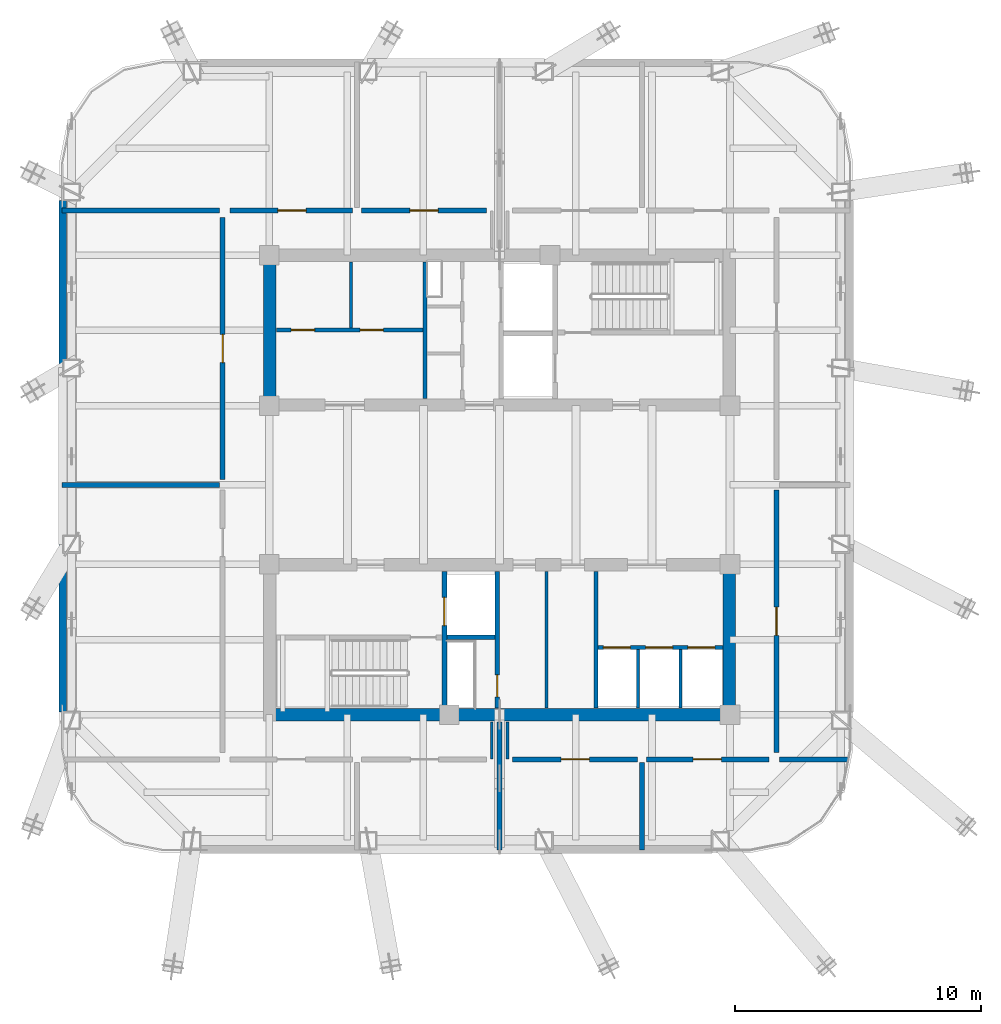
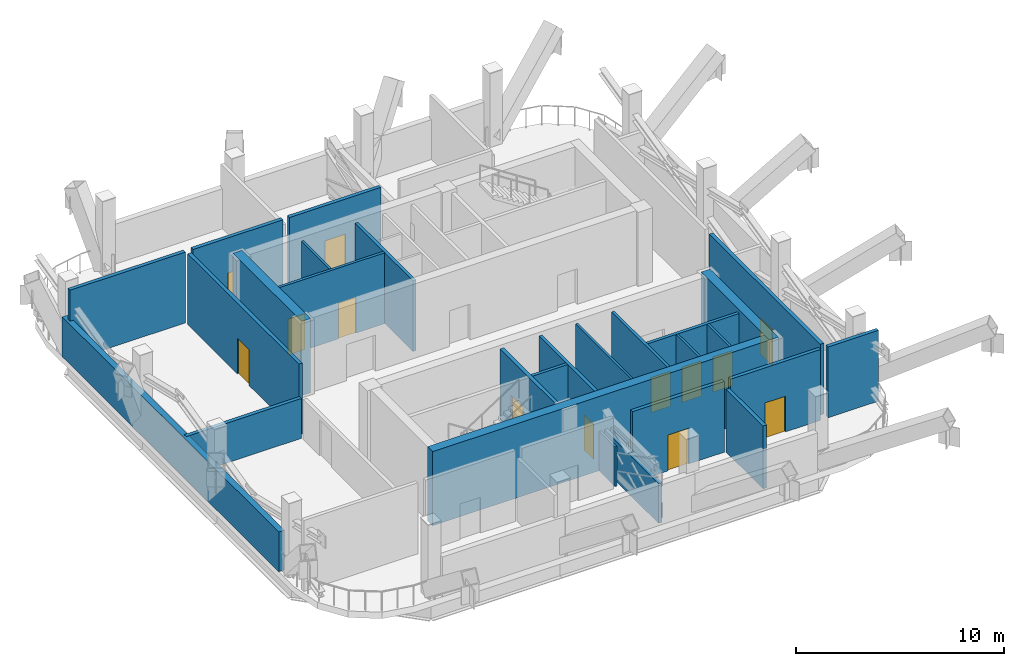
# One storey, part 4 of 9: 28 walls, 13 doors, 13 openings.
"""IFC4 building model written with IfcOpenShell, lengths in metres."""

import ifcopenshell
import ifcopenshell.guid

model = None  # the IFC model being written
_history = None  # IfcOwnerHistory: only IFC2X3 demands one
_inside = {}  # id of a spatial element -> (the spatial element, [elements in it])
_under = {}  # id of a project, library or spatial element -> (it, [spatial elements below it])
_declared = {}  # id of a project -> (the project, [libraries it declares])
_typed = {}  # id of a type object -> (the type object, [elements of that type])
_made_of = {}  # id of a material, layer set ... -> (it, [elements and type objects made of it])


def new_model(schema):
    """Start an empty IFC model of exactly this schema.

    Asked for "IFC4X3", IfcOpenShell would pick the latest addendum, in which some entities
    have other attributes; the version numbers below select the first issue.
    IFC2X3 requires an IfcOwnerHistory on every rooted entity: one is made here for all.
    """
    global model, _history
    if schema == "IFC4X3":
        model = ifcopenshell.file(schema_version=(4, 3, 0, 0))
    else:
        model = ifcopenshell.file(schema=schema)
    _inside.clear()
    _under.clear()
    _declared.clear()
    _typed.clear()
    _made_of.clear()
    _history = None
    if model.schema == "IFC2X3":
        org = make("IfcOrganization", Name="unknown")
        user = make(
            "IfcPersonAndOrganization",
            ThePerson=make("IfcPerson", FamilyName="unknown"),
            TheOrganization=org,
        )
        app = make(
            "IfcApplication",
            ApplicationDeveloper=org,
            Version="unknown",
            ApplicationFullName="unknown",
            ApplicationIdentifier="unknown",
        )
        _history = make(
            "IfcOwnerHistory",
            OwningUser=user,
            OwningApplication=app,
            ChangeAction="ADDED",
            CreationDate=0,
        )
    return model


def make(cls, **values):
    """One entity of the class cls with the attributes given. An attribute that is None is left unset."""
    return model.create_entity(
        cls, **{name: value for name, value in values.items() if value is not None}
    )


def rooted(cls, **values):
    """An entity with a GlobalId (a new one), such as an element, a storey or a relation."""
    return make(cls, GlobalId=ifcopenshell.guid.new(), OwnerHistory=_history, **values)


def si_unit(unit_type, name, prefix=None):
    """IfcSIUnit, for example si_unit("LENGTHUNIT", "METRE", prefix="MILLI")."""
    return make("IfcSIUnit", UnitType=unit_type, Prefix=prefix, Name=name)


def assignment(units):
    """IfcUnitAssignment: the units of a project."""
    return None if units is None else make("IfcUnitAssignment", Units=units)


def point(xyz):
    """IfcCartesianPoint."""
    return None if xyz is None else make("IfcCartesianPoint", Coordinates=xyz)


def direction(xyz):
    """IfcDirection."""
    return None if xyz is None else make("IfcDirection", DirectionRatios=xyz)


def frame(location, z_axis=None, x_axis=None):
    """IfcAxis2Placement3D, a coordinate frame: its origin and axes. An axis left out is left unset."""
    return make(
        "IfcAxis2Placement3D",
        Location=point(location),
        Axis=direction(z_axis),
        RefDirection=direction(x_axis),
    )


def frame_2d(location, x_axis=None):
    """IfcAxis2Placement2D, a coordinate frame in the plane: its origin and x axis."""
    return make(
        "IfcAxis2Placement2D", Location=point(location), RefDirection=direction(x_axis)
    )


def origin():
    """The frame at (0, 0, 0) with its axes left unset."""
    return frame((0.0, 0.0, 0.0))


def place(relative_to, where):
    """IfcLocalPlacement: puts the frame where relative to a parent placement (None: the world)."""
    return make(
        "IfcLocalPlacement", PlacementRelTo=relative_to, RelativePlacement=where
    )


def context(
    kind, dimensions, precision=None, world=None, true_north=None, identifier=None
):
    """IfcGeometricRepresentationContext, for example the 3D "Model" context."""
    return make(
        "IfcGeometricRepresentationContext",
        ContextIdentifier=identifier,
        ContextType=kind,
        CoordinateSpaceDimension=dimensions,
        Precision=precision,
        WorldCoordinateSystem=world,
        TrueNorth=true_north,
    )


def subcontext(parent, identifier, kind, view, scale=None):
    """IfcGeometricRepresentationSubContext, for example "Body" below "Model"."""
    return make(
        "IfcGeometricRepresentationSubContext",
        ContextIdentifier=identifier,
        ContextType=kind,
        ParentContext=parent,
        TargetScale=scale,
        TargetView=view,
    )


def project(units=None, contexts=None):
    """IfcProject with its units and contexts."""
    return rooted(
        "IfcProject",
        Name="project",
        RepresentationContexts=contexts,
        UnitsInContext=assignment(units),
    )


def spatial(cls, under=None, at=None, **own):
    """A site, building, storey or space (cls), placed at a placement, below another one or the project."""
    s = rooted(cls, ObjectPlacement=at, **own)
    if under is not None:
        _under.setdefault(under.id(), (under, []))[1].append(s)
    return s


def profile(cls, at=None, kind="AREA", **sizes):
    """A parametric profile (cls). Its sizes go by their IFC names, for example OverallWidth=200.0."""
    return make(cls, ProfileType=kind, Position=at, **sizes)


def rectangle(**sizes):
    """IfcRectangleProfileDef."""
    return profile("IfcRectangleProfileDef", **sizes)


def extrude(swept, where, along, depth):
    """IfcExtrudedAreaSolid: the profile swept, set in the frame where, extruded along a direction by depth."""
    return make(
        "IfcExtrudedAreaSolid",
        SweptArea=swept,
        Position=where,
        ExtrudedDirection=direction(along),
        Depth=depth,
    )


def shape(context_of_items, identifier, shape_type, items):
    """IfcShapeRepresentation: the items that make up one representation, for example the "Body"."""
    return make(
        "IfcShapeRepresentation",
        ContextOfItems=context_of_items,
        RepresentationIdentifier=identifier,
        RepresentationType=shape_type,
        Items=items,
    )


def material(Name=None, Category=None):
    """IfcMaterial."""
    return make("IfcMaterial", Name=Name, Category=Category)


def layer(
    of_material, thickness, ventilated=None, Name=None, Category=None, Priority=None
):
    """IfcMaterialLayer: one layer of a wall or slab, of a material (None: an air gap)."""
    return make(
        "IfcMaterialLayer",
        Material=of_material,
        LayerThickness=thickness,
        IsVentilated=ventilated,
        Name=Name,
        Category=Category,
        Priority=Priority,
    )


def layer_set(layers, Name=None):
    """IfcMaterialLayerSet."""
    return make("IfcMaterialLayerSet", MaterialLayers=layers, LayerSetName=Name)


def made_of(thing, what):
    """Note that an element or type object is made of a material, layer set ...; save() writes the relation."""
    if what is not None:
        _made_of.setdefault(what.id(), (what, []))[1].append(thing)
    return thing


def type_object(cls, material=None, **own):
    """A type object (cls), such as IfcWallType, which elements share."""
    return made_of(rooted(cls, **own), material)


def element(
    cls,
    number,
    at=None,
    inside=None,
    cuts=None,
    type_object=None,
    material=None,
    context=None,
    identifier="Body",
    shape_type=None,
    held_by="IfcProductDefinitionShape",
    body=None,
    shapes=None,
    **own,
):
    """One element of the class cls, such as IfcWall. Its Tag is "e" and its number.

    at: its placement. inside: the storey or other place that contains it. cuts: it is an
    opening in that element (IfcRelVoidsElement). A single representation is given by context,
    identifier, shape_type and body (its items); several are given by shapes. held_by: the class
    of the entity that holds the representations. save() writes the other relations.
    """
    e = rooted(cls, Tag="e%d" % number, ObjectPlacement=at, **own)
    if body is not None:
        shapes = [shape(context, identifier, shape_type, body)]
    if shapes is not None:
        e.Representation = make(held_by, Representations=shapes)
    if inside is not None:
        _inside.setdefault(inside.id(), (inside, []))[1].append(e)
    if cuts is not None:
        rooted(
            "IfcRelVoidsElement", RelatingBuildingElement=cuts, RelatedOpeningElement=e
        )
    if type_object is not None:
        _typed.setdefault(type_object.id(), (type_object, []))[1].append(e)
    return made_of(e, material)


def fill(opening, filler):
    """IfcRelFillsElement: the door or window that sits in an opening."""
    return rooted(
        "IfcRelFillsElement",
        RelatingOpeningElement=opening,
        RelatedBuildingElement=filler,
    )


def aggregate(whole, parts):
    """IfcRelAggregates: a whole, such as a stair, and the parts it consists of."""
    return rooted("IfcRelAggregates", RelatingObject=whole, RelatedObjects=parts)


def save(model, path):
    """Write the relations noted so far, then the file.

    IfcRelAggregates (storeys below a building ...), IfcRelContainedInSpatialStructure (elements
    in a storey), IfcRelDefinesByType, IfcRelAssociatesMaterial and IfcRelDeclares: one each for
    every whole, place, type object, material and project.
    """
    for whole, parts in _under.values():
        aggregate(whole, parts)
    for where, things in _inside.values():
        rooted(
            "IfcRelContainedInSpatialStructure",
            RelatedElements=things,
            RelatingStructure=where,
        )
    for kind, things in _typed.values():
        rooted("IfcRelDefinesByType", RelatedObjects=things, RelatingType=kind)
    for what, things in _made_of.values():
        rooted("IfcRelAssociatesMaterial", RelatedObjects=things, RelatingMaterial=what)
    for by, libraries in _declared.values():
        rooted("IfcRelDeclares", RelatingContext=by, RelatedDefinitions=libraries)
    model.write(path)


model = new_model("IFC4")

# Units and contexts
model_context = context("Model", 3, precision=1e-05, world=origin(), true_north=direction((0.0, 1.0)))
body_context = subcontext(model_context, "Body", "Model", "MODEL_VIEW")
ifc_project = project(units=[si_unit("LENGTHUNIT", "METRE"), si_unit("AREAUNIT", "SQUARE_METRE"), si_unit("VOLUMEUNIT", "CUBIC_METRE"), si_unit("PLANEANGLEUNIT", "RADIAN"), si_unit("MASSUNIT", "GRAM", prefix="KILO")], contexts=[model_context])

# Site, building, storey
site_placement = place(None, origin())
site = spatial("IfcSite", under=ifc_project, at=site_placement, CompositionType="ELEMENT")
building_placement = place(site_placement, origin())
building = spatial("IfcBuilding", under=site, at=building_placement, Name="Qhalaya Broadcast Tower", CompositionType="ELEMENT")
storey_placement = place(building_placement, frame((0.0, 0.0, 195.14990234375)))
storey = spatial("IfcBuildingStorey", under=building, at=storey_placement, Name="L57", CompositionType="ELEMENT", Elevation=195.14990234375)

# Wall, openings, doors
ifc_material_1 = material(Name="Gypsum Acoustic Partition")
ifc_layer_1 = layer(ifc_material_1, 0.14990234375, Name="Gypsum Acoustic Partition")
ifc_layer_set_1 = layer_set([ifc_layer_1], Name="Gypsum Acoustic Partition")
wall_type_1 = type_object("IfcWallType", Name="Corridor & Tenancy Acoustic Partition 150", PredefinedType="PARTITIONING", material=ifc_layer_set_1)
wall_1_placement = place(storey_placement, frame((-9.080078125, 6.89990234375, 0.0), z_axis=(0.0, 0.0, 1.0), x_axis=(1.0, 0.0, 0.0)))
wall_1 = element("IfcWall", 1, at=wall_1_placement, inside=storey, type_object=wall_type_1, Name="L57 Partition Wall NCW-REC1", PredefinedType="PARTITIONING", context=body_context, shape_type="SweptSolid", body=[
    extrude(rectangle(XDim=5.9599609375, YDim=0.14990234375, at=frame_2d((2.97998046875, 0.0))), origin(), (0.0, 0.0, 1.0), 4.16015625),
])
opening_1_placement = place(wall_1_placement, frame((0.60009765625, 0.0, 0.0)))
opening_1 = element("IfcOpeningElement", 2, at=opening_1_placement, cuts=wall_1, Name="Opening D10", PredefinedType="OPENING", context=body_context, shape_type="SweptSolid", body=[
    extrude(rectangle(XDim=0.949951171875, YDim=2.10009765625, at=frame_2d((0.47509765625, 1.050048828125))), frame((0.0, 0.0869140625, 0.0), z_axis=(0.0, -1.0, 0.0), x_axis=(1.0, 0.0, 0.0)), (0.0, 0.0, 1.0), 0.173828125),
])
opening_2_placement = place(wall_1_placement, frame((3.39990234375, 0.0, 0.0)))
opening_2 = element("IfcOpeningElement", 3, at=opening_2_placement, cuts=wall_1, Name="Opening D10", PredefinedType="OPENING", context=body_context, shape_type="SweptSolid", body=[
    extrude(rectangle(XDim=0.949951171875, YDim=2.10009765625, at=frame_2d((0.47509765625, 1.050048828125))), frame((0.0, 0.0869140625, 0.0), z_axis=(0.0, -1.0, 0.0), x_axis=(1.0, 0.0, 0.0)), (0.0, 0.0, 1.0), 0.173828125),
])
ifc_material_2 = material(Name="Timber Veneer Acoustic Door", Category="wood")
door_type_1 = type_object("IfcDoorType", Name="Cellular Office & Edit Booth Door D10", OperationType="NOTDEFINED", PredefinedType="DOOR", material=ifc_material_2)
door_1_placement = place(opening_1_placement, origin())
door_1 = element("IfcDoor", 4, at=door_1_placement, inside=storey, type_object=door_type_1, Name="L57 Door D-NREC1", OperationType="SINGLE_SWING_LEFT", OverallHeight=2.10009765625, OverallWidth=0.949951171875, PredefinedType="DOOR", context=body_context, shape_type="SweptSolid", body=[
    extrude(rectangle(XDim=0.949951171875, YDim=2.10009765625, at=frame_2d((0.47509765625, 1.050048828125))), frame((0.0, 0.02490234375, 0.0), z_axis=(0.0, -1.0, 0.0), x_axis=(1.0, 0.0, 0.0)), (0.0, 0.0, 1.0), 0.050048828125),
])
fill(opening_1, door_1)
door_2_placement = place(opening_2_placement, origin())
door_2 = element("IfcDoor", 5, at=door_2_placement, inside=storey, type_object=door_type_1, Name="L57 Door D-NREC2", OperationType="SINGLE_SWING_RIGHT", OverallHeight=2.10009765625, OverallWidth=0.949951171875, PredefinedType="DOOR", context=body_context, shape_type="SweptSolid", body=[
    extrude(rectangle(XDim=0.949951171875, YDim=2.10009765625, at=frame_2d((0.47509765625, 1.050048828125))), frame((0.0, 0.02490234375, 0.0), z_axis=(0.0, -1.0, 0.0), x_axis=(1.0, 0.0, 0.0)), (0.0, 0.0, 1.0), 0.050048828125),
])
fill(opening_2, door_2)

# Walls
wall_2_placement = place(storey_placement, frame((3.919921875, -8.47998046875, 0.0), z_axis=(0.0, 0.0, 1.0), x_axis=(0.0, 1.0, 0.0)))
element("IfcWall", 6, at=wall_2_placement, inside=storey, type_object=wall_type_1, Name="L57 Partition Wall SCW-HSEP", PredefinedType="PARTITIONING", context=body_context, shape_type="SweptSolid", body=[
    extrude(rectangle(XDim=5.56005859375, YDim=0.14990234375, at=frame_2d((2.780029296875, 0.0))), origin(), (0.0, 0.0, 1.0), 4.16015625),
])
ifc_layer_2 = layer(ifc_material_1, 0.199951171875, Name="Gypsum Acoustic Partition")
ifc_layer_set_2 = layer_set([ifc_layer_2], Name="Gypsum Acoustic Partition")
wall_type_2 = type_object("IfcWallType", Name="Firefighting Lobby & Stair Enclosure Wall 200", PredefinedType="PARTITIONING", material=ifc_layer_set_2)
wall_3_placement = place(storey_placement, frame((0.0, -14.260009765625, 0.0), z_axis=(0.0, 0.0, 1.0), x_axis=(0.0, 1.0, 0.0)))
element("IfcWall", 7, at=wall_3_placement, inside=storey, type_object=wall_type_2, Name="L57 Partition Wall W-OBS", PredefinedType="PARTITIONING", context=body_context, shape_type="SweptSolid", body=[
    extrude(rectangle(XDim=5.219970703125, YDim=0.199951171875, at=frame_2d((2.60986328125, 0.0))), origin(), (0.0, 0.0, 1.0), 2.340087890625),
])

# Wall, opening, door
wall_4_placement = place(storey_placement, frame((-5.97998046875, 11.77001953125, 0.0), z_axis=(0.0, 0.0, 1.0), x_axis=(-1.0, 0.0, 0.0)))
wall_4 = element("IfcWall", 8, at=wall_4_placement, inside=storey, type_object=wall_type_2, Name="L57 Partition Wall W-PCN0", PredefinedType="PARTITIONING", context=body_context, shape_type="SweptSolid", body=[
    extrude(rectangle(XDim=4.989990234375, YDim=0.199951171875, at=frame_2d((2.4951171875, 0.0))), origin(), (0.0, 0.0, 1.0), 4.16015625),
])
opening_3_placement = place(wall_4_placement, frame((1.889892578125, 0.0, 0.0)))
opening_3 = element("IfcOpeningElement", 9, at=opening_3_placement, cuts=wall_4, Name="Opening D05", PredefinedType="OPENING", context=body_context, shape_type="SweptSolid", body=[
    extrude(rectangle(XDim=1.14990234375, YDim=2.10009765625, at=frame_2d((0.574951171875, 1.050048828125))), frame((0.0, 0.112060546875, 0.0), z_axis=(0.0, -1.0, 0.0), x_axis=(1.0, 0.0, 0.0)), (0.0, 0.0, 1.0), 0.223876953125),
])
ifc_material_3 = material(Name="Fire-Rated Steel Door", Category="steel")
door_type_2 = type_object("IfcDoorType", Name="Refuge & Plant Room Fire Door D05", OperationType="NOTDEFINED", PredefinedType="DOOR", material=ifc_material_3)
door_3_placement = place(opening_3_placement, origin())
door_3 = element("IfcDoor", 10, at=door_3_placement, inside=storey, type_object=door_type_2, Name="L57 Door D-PCN0", OperationType="SINGLE_SWING_LEFT", OverallHeight=2.10009765625, OverallWidth=1.14990234375, PredefinedType="DOOR", context=body_context, shape_type="SweptSolid", body=[
    extrude(rectangle(XDim=1.14990234375, YDim=2.10009765625, at=frame_2d((0.574951171875, 1.050048828125))), frame((0.0, 0.02490234375, 0.0), z_axis=(0.0, -1.0, 0.0), x_axis=(1.0, 0.0, 0.0)), (0.0, 0.0, 1.0), 0.050048828125),
])
fill(opening_3, door_3)

wall_5_placement = place(storey_placement, frame((-0.530029296875, 11.77001953125, 0.0), z_axis=(0.0, 0.0, 1.0), x_axis=(-1.0, 0.0, 0.0)))
wall_5 = element("IfcWall", 11, at=wall_5_placement, inside=storey, type_object=wall_type_2, Name="L57 Partition Wall W-PCN1", PredefinedType="PARTITIONING", context=body_context, shape_type="SweptSolid", body=[
    extrude(rectangle(XDim=5.090087890625, YDim=0.199951171875, at=frame_2d((2.544921875, 0.0))), origin(), (0.0, 0.0, 1.0), 4.16015625),
])
opening_4_placement = place(wall_5_placement, frame((1.969970703125, 0.0, 0.0)))
opening_4 = element("IfcOpeningElement", 12, at=opening_4_placement, cuts=wall_5, Name="Opening D05", PredefinedType="OPENING", context=body_context, shape_type="SweptSolid", body=[
    extrude(rectangle(XDim=1.14990234375, YDim=2.10009765625, at=frame_2d((0.574951171875, 1.050048828125))), frame((0.0, 0.112060546875, 0.0), z_axis=(0.0, -1.0, 0.0), x_axis=(1.0, 0.0, 0.0)), (0.0, 0.0, 1.0), 0.223876953125),
])
door_4_placement = place(opening_4_placement, origin())
door_4 = element("IfcDoor", 13, at=door_4_placement, inside=storey, type_object=door_type_2, Name="L57 Door D-PCN1", OperationType="SINGLE_SWING_LEFT", OverallHeight=2.10009765625, OverallWidth=1.14990234375, PredefinedType="DOOR", context=body_context, shape_type="SweptSolid", body=[
    extrude(rectangle(XDim=1.14990234375, YDim=2.10009765625, at=frame_2d((0.574951171875, 1.050048828125))), frame((0.0, 0.02490234375, 0.0), z_axis=(0.0, -1.0, 0.0), x_axis=(1.0, 0.0, 0.0)), (0.0, 0.0, 1.0), 0.050048828125),
])
fill(opening_4, door_4)

wall_6_placement = place(storey_placement, frame((0.530029296875, -10.570068359375, 0.0), z_axis=(0.0, 0.0, 1.0), x_axis=(1.0, 0.0, 0.0)))
wall_6 = element("IfcWall", 14, at=wall_6_placement, inside=storey, type_object=wall_type_2, Name="L57 Partition Wall W-PCS2", PredefinedType="PARTITIONING", context=body_context, shape_type="SweptSolid", body=[
    extrude(rectangle(XDim=5.090087890625, YDim=0.199951171875, at=frame_2d((2.544921875, 0.0))), origin(), (0.0, 0.0, 1.0), 4.16015625),
])
opening_5_placement = place(wall_6_placement, frame((1.969970703125, 0.0, 0.0)))
opening_5 = element("IfcOpeningElement", 15, at=opening_5_placement, cuts=wall_6, Name="Opening D05", PredefinedType="OPENING", context=body_context, shape_type="SweptSolid", body=[
    extrude(rectangle(XDim=1.14990234375, YDim=2.10009765625, at=frame_2d((0.574951171875, 1.050048828125))), frame((0.0, 0.112060546875, 0.0), z_axis=(0.0, -1.0, 0.0), x_axis=(1.0, 0.0, 0.0)), (0.0, 0.0, 1.0), 0.223876953125),
])
door_5_placement = place(opening_5_placement, origin())
door_5 = element("IfcDoor", 16, at=door_5_placement, inside=storey, type_object=door_type_2, Name="L57 Door D-PCS2", OperationType="SINGLE_SWING_RIGHT", OverallHeight=2.10009765625, OverallWidth=1.14990234375, PredefinedType="DOOR", context=body_context, shape_type="SweptSolid", body=[
    extrude(rectangle(XDim=1.14990234375, YDim=2.10009765625, at=frame_2d((0.574951171875, 1.050048828125))), frame((0.0, 0.02490234375, 0.0), z_axis=(0.0, -1.0, 0.0), x_axis=(1.0, 0.0, 0.0)), (0.0, 0.0, 1.0), 0.050048828125),
])
fill(opening_5, door_5)

# Wall
wall_7_placement = place(storey_placement, frame((5.800048828125, -14.260009765625, 0.0), z_axis=(0.0, 0.0, 1.0), x_axis=(0.0, 1.0, 0.0)))
element("IfcWall", 17, at=wall_7_placement, inside=storey, type_object=wall_type_2, Name="L57 Partition Wall W-PDS3", PredefinedType="PARTITIONING", context=body_context, shape_type="SweptSolid", body=[
    extrude(rectangle(XDim=3.570068359375, YDim=0.199951171875, at=frame_2d((1.78515625, 0.0))), origin(), (0.0, 0.0, 1.0), 3.68115234375),
])

# Wall, opening, door
wall_8_placement = place(storey_placement, frame((5.97998046875, -10.570068359375, 0.0), z_axis=(0.0, 0.0, 1.0), x_axis=(1.0, 0.0, 0.0)))
wall_8 = element("IfcWall", 18, at=wall_8_placement, inside=storey, type_object=wall_type_2, Name="L57 Partition Wall W-PCS3", PredefinedType="PARTITIONING", context=body_context, shape_type="SweptSolid", body=[
    extrude(rectangle(XDim=4.989990234375, YDim=0.199951171875, at=frame_2d((2.4951171875, 0.0))), origin(), (0.0, 0.0, 1.0), 4.16015625),
])
opening_6_placement = place(wall_8_placement, frame((1.889892578125, 0.0, 0.0)))
opening_6 = element("IfcOpeningElement", 19, at=opening_6_placement, cuts=wall_8, Name="Opening D05", PredefinedType="OPENING", context=body_context, shape_type="SweptSolid", body=[
    extrude(rectangle(XDim=1.14990234375, YDim=2.10009765625, at=frame_2d((0.574951171875, 1.050048828125))), frame((0.0, 0.112060546875, 0.0), z_axis=(0.0, -1.0, 0.0), x_axis=(1.0, 0.0, 0.0)), (0.0, 0.0, 1.0), 0.223876953125),
])
door_6_placement = place(opening_6_placement, origin())
door_6 = element("IfcDoor", 20, at=door_6_placement, inside=storey, type_object=door_type_2, Name="L57 Door D-PCS3", OperationType="SINGLE_SWING_RIGHT", OverallHeight=2.10009765625, OverallWidth=1.14990234375, PredefinedType="DOOR", context=body_context, shape_type="SweptSolid", body=[
    extrude(rectangle(XDim=1.14990234375, YDim=2.10009765625, at=frame_2d((0.574951171875, 1.050048828125))), frame((0.0, 0.02490234375, 0.0), z_axis=(0.0, -1.0, 0.0), x_axis=(1.0, 0.0, 0.0)), (0.0, 0.0, 1.0), 0.050048828125),
])
fill(opening_6, door_6)

# Walls
wall_9_placement = place(storey_placement, frame((-17.800048828125, 11.77001953125, 0.0), z_axis=(0.0, 0.0, 1.0), x_axis=(1.0, 0.0, 0.0)))
element("IfcWall", 21, at=wall_9_placement, inside=storey, type_object=wall_type_2, Name="L57 Partition Wall W-PBNW", PredefinedType="PARTITIONING", context=body_context, shape_type="SweptSolid", body=[
    extrude(rectangle(XDim=6.41015625, YDim=0.199951171875, at=frame_2d((3.205078125, 0.0))), origin(), (0.0, 0.0, 1.0), 4.16015625),
])
wall_10_placement = place(storey_placement, frame((11.389892578125, -10.570068359375, 0.0), z_axis=(0.0, 0.0, 1.0), x_axis=(1.0, 0.0, 0.0)))
element("IfcWall", 22, at=wall_10_placement, inside=storey, type_object=wall_type_2, Name="L57 Partition Wall W-PBSE", PredefinedType="PARTITIONING", context=body_context, shape_type="SweptSolid", body=[
    extrude(rectangle(XDim=2.790283203125, YDim=0.199951171875, at=frame_2d((1.39501953125, 0.0))), origin(), (0.0, 0.0, 1.0), 4.16015625),
])
wall_11_placement = place(storey_placement, frame((-17.800048828125, 0.60009765625, 0.0), z_axis=(0.0, 0.0, 1.0), x_axis=(1.0, 0.0, 0.0)))
element("IfcWall", 23, at=wall_11_placement, inside=storey, type_object=wall_type_2, Name="L57 Partition Wall W-PDW1", PredefinedType="PARTITIONING", context=body_context, shape_type="SweptSolid", body=[
    extrude(rectangle(XDim=6.41015625, YDim=0.199951171875, at=frame_2d((3.205078125, 0.0))), origin(), (0.0, 0.0, 1.0), 2.340087890625),
])

# Wall, opening, door
wall_12_placement = place(storey_placement, frame((-11.27001953125, 11.489990234375, 0.0), z_axis=(0.0, 0.0, 1.0), x_axis=(0.0, -1.0, 0.0)))
wall_12 = element("IfcWall", 24, at=wall_12_placement, inside=storey, type_object=wall_type_2, Name="L57 Partition Wall W-PCW2", PredefinedType="PARTITIONING", context=body_context, shape_type="SweptSolid", body=[
    extrude(rectangle(XDim=10.679931640625, YDim=0.199951171875, at=frame_2d((5.33984375, 0.0))), origin(), (0.0, 0.0, 1.0), 4.16015625),
])
opening_7_placement = place(wall_12_placement, frame((4.764892578125, 0.0, 0.0)))
opening_7 = element("IfcOpeningElement", 25, at=opening_7_placement, cuts=wall_12, Name="Opening D05", PredefinedType="OPENING", context=body_context, shape_type="SweptSolid", body=[
    extrude(rectangle(XDim=1.14990234375, YDim=2.10009765625, at=frame_2d((0.574951171875, 1.050048828125))), frame((0.0, 0.112060546875, 0.0), z_axis=(0.0, -1.0, 0.0), x_axis=(1.0, 0.0, 0.0)), (0.0, 0.0, 1.0), 0.223876953125),
])
door_7_placement = place(opening_7_placement, origin())
door_7 = element("IfcDoor", 26, at=door_7_placement, inside=storey, type_object=door_type_2, Name="L57 Door D-PCW2", OperationType="SINGLE_SWING_RIGHT", OverallHeight=2.10009765625, OverallWidth=1.14990234375, PredefinedType="DOOR", context=body_context, shape_type="SweptSolid", body=[
    extrude(rectangle(XDim=1.14990234375, YDim=2.10009765625, at=frame_2d((0.574951171875, 1.050048828125))), frame((0.0, 0.02490234375, 0.0), z_axis=(0.0, -1.0, 0.0), x_axis=(1.0, 0.0, 0.0)), (0.0, 0.0, 1.0), 0.050048828125),
])
fill(opening_7, door_7)

wall_13_placement = place(storey_placement, frame((11.27001953125, -10.2900390625, 0.0), z_axis=(0.0, 0.0, 1.0), x_axis=(0.0, 1.0, 0.0)))
wall_13 = element("IfcWall", 27, at=wall_13_placement, inside=storey, type_object=wall_type_2, Name="L57 Partition Wall W-PCE1", PredefinedType="PARTITIONING", context=body_context, shape_type="SweptSolid", body=[
    extrude(rectangle(XDim=10.679931640625, YDim=0.199951171875, at=frame_2d((5.33984375, 0.0))), origin(), (0.0, 0.0, 1.0), 4.16015625),
])
opening_8_placement = place(wall_13_placement, frame((4.764892578125, 0.0, 0.0)))
opening_8 = element("IfcOpeningElement", 28, at=opening_8_placement, cuts=wall_13, Name="Opening D05", PredefinedType="OPENING", context=body_context, shape_type="SweptSolid", body=[
    extrude(rectangle(XDim=1.14990234375, YDim=2.10009765625, at=frame_2d((0.574951171875, 1.050048828125))), frame((0.0, 0.112060546875, 0.0), z_axis=(0.0, -1.0, 0.0), x_axis=(1.0, 0.0, 0.0)), (0.0, 0.0, 1.0), 0.223876953125),
])
door_8_placement = place(opening_8_placement, origin())
door_8 = element("IfcDoor", 29, at=door_8_placement, inside=storey, type_object=door_type_2, Name="L57 Door D-PCE1", OperationType="SINGLE_SWING_RIGHT", OverallHeight=2.10009765625, OverallWidth=1.14990234375, PredefinedType="DOOR", context=body_context, shape_type="SweptSolid", body=[
    extrude(rectangle(XDim=1.14990234375, YDim=2.10009765625, at=frame_2d((0.574951171875, 1.050048828125))), frame((0.0, 0.02490234375, 0.0), z_axis=(0.0, -1.0, 0.0), x_axis=(1.0, 0.0, 0.0)), (0.0, 0.0, 1.0), 0.050048828125),
])
fill(opening_8, door_8)

ifc_material_4 = material(Name="Concrete C50/60", Category="concrete")
ifc_layer_3 = layer(ifc_material_4, 0.199951171875, Name="Concrete C50/60")
ifc_layer_set_3 = layer_set([ifc_layer_3], Name="Concrete C50/60")
wall_type_3 = type_object("IfcWallType", Name="Load-Bearing Stair Shaft Wall 200", PredefinedType="SHEAR", material=ifc_layer_set_3)
wall_14_placement = place(storey_placement, frame((-2.25, -8.47998046875, 0.0), z_axis=(0.0, 0.0, 1.0), x_axis=(0.0, 1.0, 0.0)))
wall_14 = element("IfcWall", 30, at=wall_14_placement, inside=storey, type_object=wall_type_3, Name="L57 Stair Core Shear Wall SCW-FF", PredefinedType="SHEAR", context=body_context, shape_type="SweptSolid", body=[
    extrude(rectangle(XDim=5.56005859375, YDim=0.199951171875, at=frame_2d((2.780029296875, 0.0))), origin(), (0.0, 0.0, 1.0), 4.16015625),
])
opening_9_placement = place(wall_14_placement, frame((3.35009765625, 0.0, 0.0)))
opening_9 = element("IfcOpeningElement", 31, at=opening_9_placement, cuts=wall_14, Name="Opening LD2", PredefinedType="OPENING", context=body_context, shape_type="SweptSolid", body=[
    extrude(rectangle(XDim=1.14990234375, YDim=2.080078125, at=frame_2d((0.574951171875, 1.0400390625))), frame((0.0, 0.112060546875, 0.0), z_axis=(0.0, -1.0, 0.0), x_axis=(1.0, 0.0, 0.0)), (0.0, 0.0, 1.0), 0.223876953125),
])
ifc_material_5 = material(Name="Brushed Stainless Steel Lift Door", Category="steel")
door_type_3 = type_object("IfcDoorType", Name="Firefighting Lift Sliding Landing Door LD2", OperationType="DOUBLE_DOOR_SLIDING", PredefinedType="DOOR", material=ifc_material_5)
door_9_placement = place(opening_9_placement, origin())
door_9 = element("IfcDoor", 32, at=door_9_placement, inside=storey, type_object=door_type_3, Name="L57 Door LD-FF2", OperationType="DOUBLE_DOOR_SLIDING", OverallHeight=2.080078125, OverallWidth=1.14990234375, PredefinedType="DOOR", context=body_context, shape_type="SweptSolid", body=[
    extrude(rectangle(XDim=1.14990234375, YDim=2.080078125, at=frame_2d((0.574951171875, 1.0400390625))), frame((0.0, 0.02490234375, 0.0), z_axis=(0.0, -1.0, 0.0), x_axis=(1.0, 0.0, 0.0)), (0.0, 0.0, 1.0), 0.050048828125),
])
fill(opening_9, door_9)

# Walls
ifc_layer_4 = layer(ifc_material_4, 0.5, Name="Concrete C50/60")
ifc_layer_set_4 = layer_set([ifc_layer_4], Name="Concrete C50/60")
wall_type_4 = type_object("IfcWallType", Name="Mid Split-Core Shear Wall 500", PredefinedType="SHEAR", material=ifc_layer_set_4)
wall_15_placement = place(storey_placement, frame((-9.35009765625, 3.60009765625, 0.0), z_axis=(0.0, 0.0, 1.0), x_axis=(0.0, 1.0, 0.0)))
element("IfcWall", 33, at=wall_15_placement, inside=storey, type_object=wall_type_4, Name="L57 Split-Core Shear Wall CW-NW", PredefinedType="SHEAR", context=body_context, shape_type="SweptSolid", body=[
    extrude(rectangle(XDim=6.599853515625, YDim=0.5, at=frame_2d((3.2998046875, 0.0))), origin(), (0.0, 0.0, 1.0), 4.35009765625),
])
wall_16_placement = place(storey_placement, frame((-9.60009765625, -8.75, 0.0), z_axis=(0.0, 0.0, 1.0), x_axis=(1.0, 0.0, 0.0)))
element("IfcWall", 34, at=wall_16_placement, inside=storey, type_object=wall_type_4, Name="L57 Split-Core Shear Wall CW-SS", PredefinedType="SHEAR", context=body_context, shape_type="SweptSolid", body=[
    extrude(rectangle(XDim=19.2001953125, YDim=0.5, at=frame_2d((9.60009765625, 0.0))), origin(), (0.0, 0.0, 1.0), 4.35009765625),
])
wall_17_placement = place(storey_placement, frame((9.35009765625, -9.0, 0.0), z_axis=(0.0, 0.0, 1.0), x_axis=(0.0, 1.0, 0.0)))
element("IfcWall", 35, at=wall_17_placement, inside=storey, type_object=wall_type_4, Name="L57 Split-Core Shear Wall CW-SE", PredefinedType="SHEAR", context=body_context, shape_type="SweptSolid", body=[
    extrude(rectangle(XDim=6.60009765625, YDim=0.5, at=frame_2d((3.300048828125, 0.0))), origin(), (0.0, 0.0, 1.0), 4.35009765625),
])
ifc_layer_5 = layer(ifc_material_1, 0.1201171875, Name="Gypsum Acoustic Partition")
ifc_layer_set_5 = layer_set([ifc_layer_5], Name="Gypsum Acoustic Partition")
wall_type_5 = type_object("IfcWallType", Name="Office, Booth & Sanitary Partition 120", PredefinedType="PARTITIONING", material=ifc_layer_set_5)
wall_18_placement = place(storey_placement, frame((-6.050048828125, 6.97998046875, 0.0), z_axis=(0.0, 0.0, 1.0), x_axis=(0.0, 1.0, 0.0)))
element("IfcWall", 36, at=wall_18_placement, inside=storey, type_object=wall_type_5, Name="L57 Partition Wall NCW-REC2", PredefinedType="PARTITIONING", context=body_context, shape_type="SweptSolid", body=[
    extrude(rectangle(XDim=2.699951171875, YDim=0.1201171875, at=frame_2d((1.35009765625, 0.0))), origin(), (0.0, 0.0, 1.0), 4.16015625),
])
wall_19_placement = place(storey_placement, frame((1.89990234375, -8.47998046875, 0.0), z_axis=(0.0, 0.0, 1.0), x_axis=(0.0, 1.0, 0.0)))
element("IfcWall", 37, at=wall_19_placement, inside=storey, type_object=wall_type_5, Name="L57 Partition Wall SCW-RKB", PredefinedType="PARTITIONING", context=body_context, shape_type="SweptSolid", body=[
    extrude(rectangle(XDim=5.56005859375, YDim=0.1201171875, at=frame_2d((2.780029296875, 0.0))), origin(), (0.0, 0.0, 1.0), 4.16015625),
])
for number, where, z_axis, x_axis, name in (
    (38, (5.639892578125, -8.47998046875, 0.0), (0.0, 0.0, 1.0), (0.0, 1.0, 0.0), "L57 Partition Wall SCW-HD6"),
    (39, (7.360107421875, -8.47998046875, 0.0), (0.0, 0.0, 1.0), (0.0, 1.0, 0.0), "L57 Partition Wall SCW-HD7"),
):
    element("IfcWall", number, at=place(storey_placement, frame(where, z_axis=z_axis, x_axis=x_axis)), inside=storey, type_object=wall_type_5, Name=name, PredefinedType="PARTITIONING", context=body_context, shape_type="SweptSolid", body=[
        extrude(rectangle(XDim=2.3798828125, YDim=0.1201171875, at=frame_2d((1.18994140625, 0.0))), origin(), (0.0, 0.0, 1.0), 4.16015625),
    ])
for number, where, z_axis, x_axis, name in (
    (40, (-0.320068359375, -10.550048828125, 0.0), (0.0, 0.0, 1.0), (0.0, 1.0, 0.0), "L57 Partition Wall W-OBSCW"),
    (41, (0.320068359375, -10.550048828125, 0.0), (0.0, 0.0, 1.0), (0.0, 1.0, 0.0), "L57 Partition Wall W-OBSCE"),
):
    element("IfcWall", number, at=place(storey_placement, frame(where, z_axis=z_axis, x_axis=x_axis)), inside=storey, type_object=wall_type_5, Name=name, PredefinedType="PARTITIONING", context=body_context, shape_type="SweptSolid", body=[
        extrude(rectangle(XDim=1.510009765625, YDim=0.1201171875, at=frame_2d((0.7548828125, 0.0))), origin(), (0.0, 0.0, 1.0), 2.340087890625),
    ])
ifc_material_6 = material(Name="Precast Concrete C40/50", Category="concrete")
ifc_layer_6 = layer(ifc_material_6, 0.320068359375, Name="Precast Concrete C40/50")
ifc_layer_set_6 = layer_set([ifc_layer_6], Name="Precast Concrete C40/50")
wall_type_6 = type_object("IfcWallType", Name="Recessed Neck Insulated Exterior Wall 320", PredefinedType="SOLIDWALL", material=ifc_layer_set_6)
wall_20_placement = place(storey_placement, frame((-17.780029296875, -8.64208984375, 0.0), z_axis=(0.0, 0.0, 1.0), x_axis=(0.0, 1.0, 0.0)))
element("IfcWall", 42, at=wall_20_placement, inside=storey, type_object=wall_type_6, Name="L57 Exterior Facade Wall W", PredefinedType="SOLIDWALL", context=body_context, shape_type="SweptSolid", body=[
    extrude(rectangle(XDim=20.823974609375, YDim=0.320068359375, at=frame_2d((10.412109375, 0.0))), origin(), (0.0, 0.0, 1.0), 2.340087890625),
])
ifc_layer_7 = layer(ifc_material_1, 0.175048828125, Name="Gypsum Acoustic Partition")
ifc_layer_set_7 = layer_set([ifc_layer_7], Name="Gypsum Acoustic Partition")
wall_type_7 = type_object("IfcWallType", Name="Shaft & Riser Fire Partition 175", PredefinedType="PARTITIONING", material=ifc_layer_set_7)
wall_21_placement = place(storey_placement, frame((-3.0400390625, 4.1201171875, 0.0), z_axis=(0.0, 0.0, 1.0), x_axis=(0.0, 1.0, 0.0)))
element("IfcWall", 43, at=wall_21_placement, inside=storey, type_object=wall_type_7, Name="L57 Partition Wall NCW-VRW", PredefinedType="PARTITIONING", context=body_context, shape_type="SweptSolid", body=[
    extrude(rectangle(XDim=5.559814453125, YDim=0.175048828125, at=frame_2d((2.77978515625, 0.0))), origin(), (0.0, 0.0, 1.0), 4.16015625),
])

# Wall, opening, door
wall_22_placement = place(storey_placement, frame((-0.10009765625, -8.47998046875, 0.0), z_axis=(0.0, 0.0, 1.0), x_axis=(0.0, 1.0, 0.0)))
wall_22 = element("IfcWall", 44, at=wall_22_placement, inside=storey, type_object=wall_type_7, Name="L57 Partition Wall SCW-FFE", PredefinedType="PARTITIONING", context=body_context, shape_type="SweptSolid", body=[
    extrude(rectangle(XDim=5.56005859375, YDim=0.175048828125, at=frame_2d((2.780029296875, 0.0))), origin(), (0.0, 0.0, 1.0), 4.16015625),
])
opening_10_placement = place(wall_22_placement, frame((0.449951171875, 0.0, 0.0)))
opening_10 = element("IfcOpeningElement", 45, at=opening_10_placement, cuts=wall_22, Name="Opening D06", PredefinedType="OPENING", context=body_context, shape_type="SweptSolid", body=[
    extrude(rectangle(XDim=0.89990234375, YDim=2.050048828125, at=frame_2d((0.449951171875, 1.02490234375))), frame((0.0, 0.099609375, 0.0), z_axis=(0.0, -1.0, 0.0), x_axis=(1.0, 0.0, 0.0)), (0.0, 0.0, 1.0), 0.198974609375),
])
door_type_4 = type_object("IfcDoorType", Name="Riser & Electrical Shaft Access Door D06", OperationType="NOTDEFINED", PredefinedType="DOOR", material=ifc_material_3)
door_10_placement = place(opening_10_placement, origin())
door_10 = element("IfcDoor", 46, at=door_10_placement, inside=storey, type_object=door_type_4, Name="L57 Riser Shaft Access Door D-SRSR", OperationType="SINGLE_SWING_LEFT", OverallHeight=2.050048828125, OverallWidth=0.89990234375, PredefinedType="DOOR", context=body_context, shape_type="SweptSolid", body=[
    extrude(rectangle(XDim=0.89990234375, YDim=2.050048828125, at=frame_2d((0.449951171875, 1.02490234375))), frame((0.0, 0.02490234375, 0.0), z_axis=(0.0, -1.0, 0.0), x_axis=(1.0, 0.0, 0.0)), (0.0, 0.0, 1.0), 0.050048828125),
])
fill(opening_10, door_10)

# Wall
wall_23_placement = place(storey_placement, frame((-2.14990234375, -5.60009765625, 0.0), z_axis=(0.0, 0.0, 1.0), x_axis=(1.0, 0.0, 0.0)))
element("IfcWall", 47, at=wall_23_placement, inside=storey, type_object=wall_type_7, Name="L57 Partition Wall SCW-FFM", PredefinedType="PARTITIONING", context=body_context, shape_type="SweptSolid", body=[
    extrude(rectangle(XDim=1.969970703125, YDim=0.175048828125, at=frame_2d((0.98486328125, 0.0))), origin(), (0.0, 0.0, 1.0), 4.16015625),
])

# Wall, openings, doors
wall_24_placement = place(storey_placement, frame((4.0, -6.02001953125, 0.0), z_axis=(0.0, 0.0, 1.0), x_axis=(1.0, 0.0, 0.0)))
wall_24 = element("IfcWall", 48, at=wall_24_placement, inside=storey, type_object=wall_type_7, Name="L57 Partition Wall SCW-SLB", PredefinedType="PARTITIONING", context=body_context, shape_type="SweptSolid", body=[
    extrude(rectangle(XDim=5.080078125, YDim=0.175048828125, at=frame_2d((2.5400390625, 0.0))), origin(), (0.0, 0.0, 1.0), 4.16015625),
])
opening_11_placement = place(wall_24_placement, frame((0.219970703125, 0.0, 0.0)))
opening_11 = element("IfcOpeningElement", 49, at=opening_11_placement, cuts=wall_24, Name="Opening LD1", PredefinedType="OPENING", context=body_context, shape_type="SweptSolid", body=[
    extrude(rectangle(XDim=1.10009765625, YDim=2.06005859375, at=frame_2d((0.550048828125, 1.030029296875))), frame((0.0, 0.099609375, 0.0), z_axis=(0.0, -1.0, 0.0), x_axis=(1.0, 0.0, 0.0)), (0.0, 0.0, 1.0), 0.198974609375),
])
opening_12_placement = place(wall_24_placement, frame((1.93994140625, 0.0, 0.0)))
opening_12 = element("IfcOpeningElement", 50, at=opening_12_placement, cuts=wall_24, Name="Opening LD1", PredefinedType="OPENING", context=body_context, shape_type="SweptSolid", body=[
    extrude(rectangle(XDim=1.10009765625, YDim=2.06005859375, at=frame_2d((0.550048828125, 1.030029296875))), frame((0.0, 0.099609375, 0.0), z_axis=(0.0, -1.0, 0.0), x_axis=(1.0, 0.0, 0.0)), (0.0, 0.0, 1.0), 0.198974609375),
])
opening_13_placement = place(wall_24_placement, frame((3.659912109375, 0.0, 0.0)))
opening_13 = element("IfcOpeningElement", 51, at=opening_13_placement, cuts=wall_24, Name="Opening LD1", PredefinedType="OPENING", context=body_context, shape_type="SweptSolid", body=[
    extrude(rectangle(XDim=1.10009765625, YDim=2.06005859375, at=frame_2d((0.550048828125, 1.030029296875))), frame((0.0, 0.099609375, 0.0), z_axis=(0.0, -1.0, 0.0), x_axis=(1.0, 0.0, 0.0)), (0.0, 0.0, 1.0), 0.198974609375),
])
door_type_5 = type_object("IfcDoorType", Name="Passenger Lift Sliding Landing Door LD1", OperationType="DOUBLE_DOOR_SLIDING", PredefinedType="DOOR", material=ifc_material_5)
door_11_placement = place(opening_11_placement, origin())
door_11 = element("IfcDoor", 52, at=door_11_placement, inside=storey, type_object=door_type_5, Name="L57 Door LD-P6", OperationType="DOUBLE_DOOR_SLIDING", OverallHeight=2.06005859375, OverallWidth=1.10009765625, PredefinedType="DOOR", context=body_context, shape_type="SweptSolid", body=[
    extrude(rectangle(XDim=1.10009765625, YDim=2.06005859375, at=frame_2d((0.550048828125, 1.030029296875))), frame((0.0, 0.02490234375, 0.0), z_axis=(0.0, -1.0, 0.0), x_axis=(1.0, 0.0, 0.0)), (0.0, 0.0, 1.0), 0.050048828125),
])
fill(opening_11, door_11)
door_12_placement = place(opening_12_placement, origin())
door_12 = element("IfcDoor", 53, at=door_12_placement, inside=storey, type_object=door_type_5, Name="L57 Door LD-P7", OperationType="DOUBLE_DOOR_SLIDING", OverallHeight=2.06005859375, OverallWidth=1.10009765625, PredefinedType="DOOR", context=body_context, shape_type="SweptSolid", body=[
    extrude(rectangle(XDim=1.10009765625, YDim=2.06005859375, at=frame_2d((0.550048828125, 1.030029296875))), frame((0.0, 0.02490234375, 0.0), z_axis=(0.0, -1.0, 0.0), x_axis=(1.0, 0.0, 0.0)), (0.0, 0.0, 1.0), 0.050048828125),
])
fill(opening_12, door_12)
door_13_placement = place(opening_13_placement, origin())
door_13 = element("IfcDoor", 54, at=door_13_placement, inside=storey, type_object=door_type_5, Name="L57 Door LD-P8", OperationType="DOUBLE_DOOR_SLIDING", OverallHeight=2.06005859375, OverallWidth=1.10009765625, PredefinedType="DOOR", context=body_context, shape_type="SweptSolid", body=[
    extrude(rectangle(XDim=1.10009765625, YDim=2.06005859375, at=frame_2d((0.550048828125, 1.030029296875))), frame((0.0, 0.02490234375, 0.0), z_axis=(0.0, -1.0, 0.0), x_axis=(1.0, 0.0, 0.0)), (0.0, 0.0, 1.0), 0.050048828125),
])
fill(opening_13, door_13)

save(model, "model.ifc")
